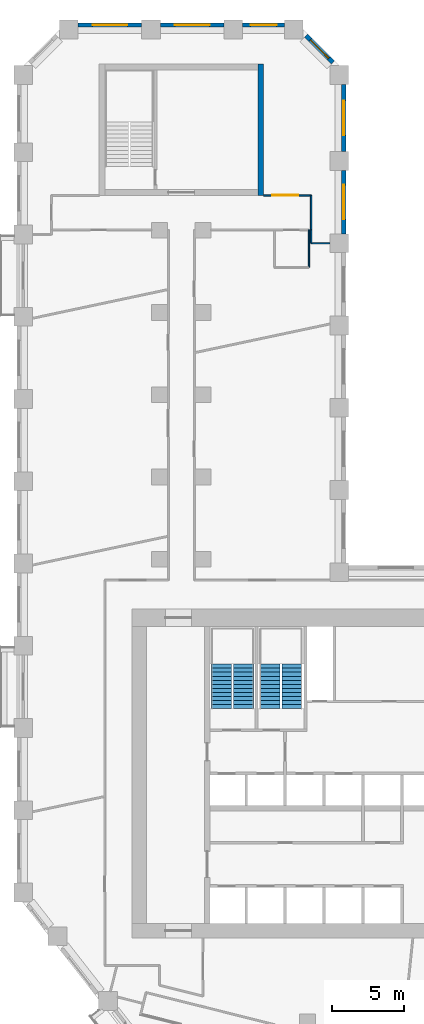
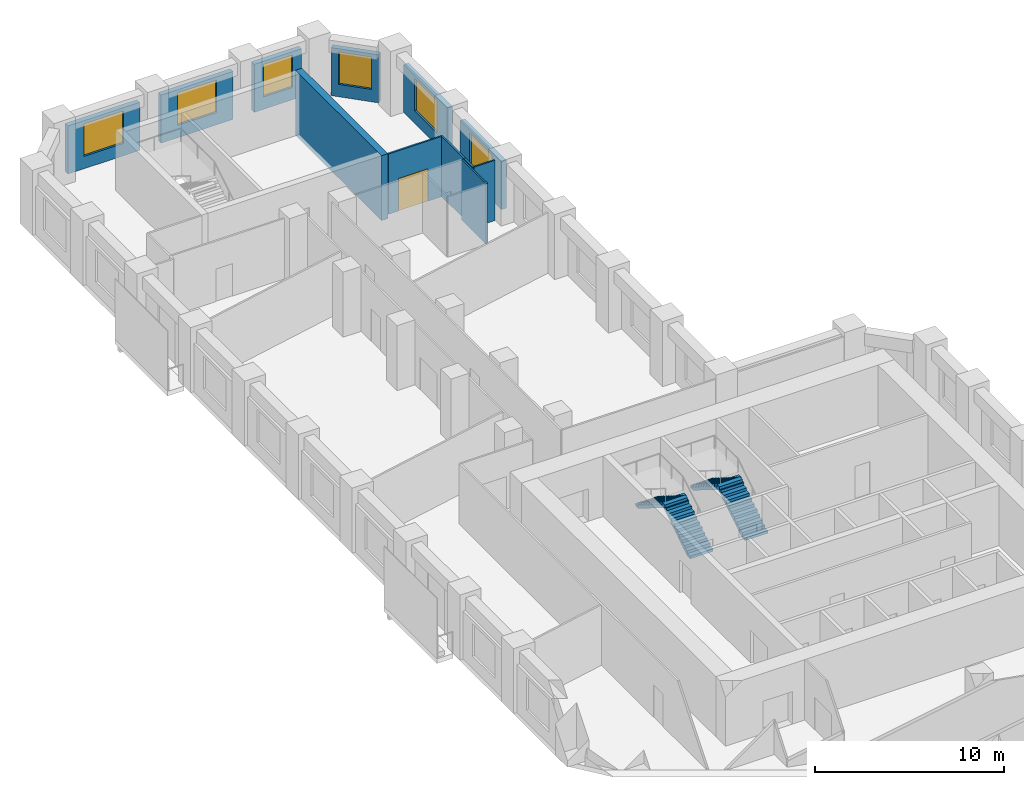
# One storey, part 9 of 11: 12 walls, 6 windows, 4 stair flights, 1 door, 7 openings, 2 elements without a shape of their own.
"""IFC4 building model written with IfcOpenShell, lengths in metres."""

from ifc_helpers import new_model, si_unit, direction, frame, frame_2d, origin, place, context, subcontext, project, spatial, polyline, rectangle, outline, extrude, material, layer, layer_set, type_object, element, fill, aggregate, save


model = new_model("IFC4")

# Units and contexts
model_context = context("Model", 3, precision=1e-05, world=origin(), true_north=direction((0.0, 1.0)))
body_context = subcontext(model_context, "Body", "Model", "MODEL_VIEW")
ifc_project = project(units=[si_unit("LENGTHUNIT", "METRE"), si_unit("AREAUNIT", "SQUARE_METRE"), si_unit("VOLUMEUNIT", "CUBIC_METRE"), si_unit("PLANEANGLEUNIT", "RADIAN"), si_unit("MASSUNIT", "GRAM", prefix="KILO")], contexts=[model_context])

# Site, building, storey
site_placement = place(None, origin())
site = spatial("IfcSite", under=ifc_project, at=site_placement, CompositionType="ELEMENT")
building_placement = place(site_placement, origin())
building = spatial("IfcBuilding", under=site, at=building_placement, Name="Meshkara Civic Tower", CompositionType="ELEMENT")
storey_placement = place(building_placement, frame((0.0, 0.0, 135.0)))
storey = spatial("IfcBuildingStorey", under=building, at=storey_placement, Name="L30", CompositionType="ELEMENT", Elevation=135.0)

# Wall
ifc_material_1 = material(Name="Corridor wall 100")
ifc_layer_1 = layer(ifc_material_1, 0.10009765625)
ifc_layer_set_1 = layer_set([ifc_layer_1], Name="Corridor wall 100")
wall_type_1 = type_object("IfcWallType", Name="Corridor wall 100", PredefinedType="PARTITIONING", material=ifc_layer_set_1)
wall_1_placement = place(storey_placement, frame((20.39990234375, 63.169921875, 0.0), z_axis=(0.0, 0.0, 1.0), x_axis=(0.0, 1.0, 0.0)))
element("IfcWall", 1, at=wall_1_placement, inside=storey, type_object=wall_type_1, Name="L30-W016", PredefinedType="PARTITIONING", context=body_context, shape_type="SweptSolid", body=[
    extrude(rectangle(XDim=2.400146484375, YDim=0.10009765625, at=frame_2d((1.2001953125, 0.0))), origin(), (0.0, 0.0, 1.0), 3.89990234375),
])

# Wall, opening, door
wall_2_placement = place(storey_placement, frame((20.39990234375, 65.570068359375, 0.0), z_axis=(0.0, 0.0, 1.0), x_axis=(-1.0, 0.0, 0.0)))
wall_2 = element("IfcWall", 2, at=wall_2_placement, inside=storey, type_object=wall_type_1, Name="L30-W017", PredefinedType="PARTITIONING", context=body_context, shape_type="SweptSolid", body=[
    extrude(rectangle(XDim=3.2998046875, YDim=0.10009765625, at=frame_2d((1.64990234375, 0.0))), origin(), (0.0, 0.0, 1.0), 3.89990234375),
])
opening_1_placement = place(wall_2_placement, frame((0.8798828125, 0.0, 0.0)))
opening_1 = element("IfcOpeningElement", 3, at=opening_1_placement, cuts=wall_2, Name="Opening L30-D024", PredefinedType="OPENING", context=body_context, shape_type="SweptSolid", body=[
    extrude(rectangle(XDim=1.800048828125, YDim=2.10009765625, at=frame_2d((0.89990234375, 1.050048828125))), frame((0.0, 0.06005859375, 0.0), z_axis=(0.0, -1.0, 0.0), x_axis=(1.0, 0.0, 0.0)), (0.0, 0.0, 1.0), 0.1201171875),
])
ifc_material_2 = material(Name="Door pair 1800 x 2100")
door_type = type_object("IfcDoorType", Name="Door pair 1800 x 2100", OperationType="SINGLE_SWING_LEFT", PredefinedType="DOOR", material=ifc_material_2)
door_placement = place(opening_1_placement, origin())
door = element("IfcDoor", 4, at=door_placement, inside=storey, type_object=door_type, Name="L30-D024", OperationType="DOUBLE_DOOR_SINGLE_SWING", OverallHeight=2.10009765625, OverallWidth=1.800048828125, PredefinedType="DOOR", context=body_context, shape_type="SweptSolid", body=[
    extrude(rectangle(XDim=1.800048828125, YDim=2.10009765625, at=frame_2d((0.89990234375, 1.050048828125))), frame((0.0, 0.02490234375, 0.0), z_axis=(0.0, -1.0, 0.0), x_axis=(1.0, 0.0, 0.0)), (0.0, 0.0, 1.0), 0.050048828125),
])
fill(opening_1, door)

# Wall, opening, window
ifc_material_3 = material(Name="Insulated infill panel with bronze anodised aluminium cladding", Category="aluminium")
ifc_layer_2 = layer(ifc_material_3, 0.300048828125)
ifc_layer_set_2 = layer_set([ifc_layer_2], Name="EXTERNAL INFILL WALL 300")
wall_type_2 = type_object("IfcWallType", Name="EXTERNAL INFILL WALL 300", PredefinedType="SOLIDWALL", material=ifc_layer_set_2)
wall_3_placement = place(storey_placement, frame((22.64990234375, 62.89990234375, 0.0), z_axis=(0.0, 0.0, 1.0), x_axis=(0.0, 1.0, 0.0)))
wall_3 = element("IfcWall", 5, at=wall_3_placement, inside=storey, type_object=wall_type_2, Name="External wall", PredefinedType="SOLIDWALL", context=body_context, shape_type="SweptSolid", body=[
    extrude(rectangle(XDim=4.400146484375, YDim=0.300048828125, at=frame_2d((2.2001953125, 0.0))), origin(), (0.0, 0.0, 1.0), 3.10009765625),
])
opening_2_placement = place(wall_3_placement, frame((1.0, 0.0, 0.800048828125)))
opening_2 = element("IfcOpeningElement", 6, at=opening_2_placement, cuts=wall_3, Name="Opening W7", PredefinedType="OPENING", context=body_context, shape_type="SweptSolid", body=[
    extrude(rectangle(XDim=2.39990234375, YDim=2.10009765625, at=frame_2d((1.199951171875, 1.050048828125))), frame((0.0, 0.159912109375, 0.0), z_axis=(0.0, -1.0, 0.0), x_axis=(1.0, 0.0, 0.0)), (0.0, 0.0, 1.0), 0.320068359375),
])
ifc_material_4 = material(Name="Tinted double glazing", Category="glass")
window_type_1 = type_object("IfcWindowType", Name="WINDOW 2400x2100", PartitioningType="DOUBLE_PANEL_VERTICAL", PredefinedType="WINDOW", material=ifc_material_4)
window_1_placement = place(opening_2_placement, origin())
window_1 = element("IfcWindow", 7, at=window_1_placement, inside=storey, type_object=window_type_1, Name="Window", OverallHeight=2.10009765625, OverallWidth=2.39990234375, PartitioningType="DOUBLE_PANEL_VERTICAL", PredefinedType="WINDOW", context=body_context, shape_type="SweptSolid", body=[
    extrude(rectangle(XDim=2.39990234375, YDim=2.10009765625, at=frame_2d((1.199951171875, 1.050048828125))), frame((0.0, 0.030029296875, 0.0), z_axis=(0.0, -1.0, 0.0), x_axis=(1.0, 0.0, 0.0)), (0.0, 0.0, 1.0), 0.06005859375),
])
fill(opening_2, window_1)

wall_4_placement = place(storey_placement, frame((22.64990234375, 68.60009765625, 0.0), z_axis=(0.0, 0.0, 1.0), x_axis=(0.0, 1.0, 0.0)))
wall_4 = element("IfcWall", 8, at=wall_4_placement, inside=storey, type_object=wall_type_2, Name="External wall", PredefinedType="SOLIDWALL", context=body_context, shape_type="SweptSolid", body=[
    extrude(rectangle(XDim=4.663818359375, YDim=0.300048828125, at=frame_2d((2.33203125, 0.0))), origin(), (0.0, 0.0, 1.0), 3.10009765625),
])
opening_3_placement = place(wall_4_placement, frame((1.132080078125, 0.0, 0.800048828125)))
opening_3 = element("IfcOpeningElement", 9, at=opening_3_placement, cuts=wall_4, Name="Opening W7", PredefinedType="OPENING", context=body_context, shape_type="SweptSolid", body=[
    extrude(rectangle(XDim=2.39990234375, YDim=2.10009765625, at=frame_2d((1.199951171875, 1.050048828125))), frame((0.0, 0.159912109375, 0.0), z_axis=(0.0, -1.0, 0.0), x_axis=(1.0, 0.0, 0.0)), (0.0, 0.0, 1.0), 0.320068359375),
])
window_2_placement = place(opening_3_placement, origin())
window_2 = element("IfcWindow", 10, at=window_2_placement, inside=storey, type_object=window_type_1, Name="Window", OverallHeight=2.10009765625, OverallWidth=2.39990234375, PartitioningType="DOUBLE_PANEL_VERTICAL", PredefinedType="WINDOW", context=body_context, shape_type="SweptSolid", body=[
    extrude(rectangle(XDim=2.39990234375, YDim=2.10009765625, at=frame_2d((1.199951171875, 1.050048828125))), frame((0.0, 0.030029296875, 0.0), z_axis=(0.0, -1.0, 0.0), x_axis=(1.0, 0.0, 0.0)), (0.0, 0.0, 1.0), 0.06005859375),
])
fill(opening_3, window_2)

wall_5_placement = place(storey_placement, frame((21.912109375, 74.77587890625, 0.0), z_axis=(0.0, 0.0, 1.0), x_axis=(-0.707106781187, 0.707106781187, 0.0)))
wall_5 = element("IfcWall", 11, at=wall_5_placement, inside=storey, type_object=wall_type_2, Name="External wall", PredefinedType="SOLIDWALL", context=body_context, shape_type="SweptSolid", body=[
    extrude(rectangle(XDim=2.625, YDim=0.300048828125, at=frame_2d((1.3125, 0.0))), origin(), (0.0, 0.0, 1.0), 3.10009765625),
])
opening_4_placement = place(wall_5_placement, frame((0.412109375, 0.0, 0.800048828125)))
opening_4 = element("IfcOpeningElement", 12, at=opening_4_placement, cuts=wall_5, Name="Opening W9", PredefinedType="OPENING", context=body_context, shape_type="SweptSolid", body=[
    extrude(rectangle(XDim=1.800048828125, YDim=2.10009765625, at=frame_2d((0.89990234375, 1.050048828125))), frame((0.0, 0.159912109375, 0.0), z_axis=(0.0, -1.0, 0.0), x_axis=(1.0, 0.0, 0.0)), (0.0, 0.0, 1.0), 0.320068359375),
])
ifc_material_5 = material(Name="Tinted double glazing", Category="glass")
window_type_2 = type_object("IfcWindowType", Name="WINDOW 1800x2100", PartitioningType="DOUBLE_PANEL_VERTICAL", PredefinedType="WINDOW", material=ifc_material_5)
window_3_placement = place(opening_4_placement, origin())
window_3 = element("IfcWindow", 13, at=window_3_placement, inside=storey, type_object=window_type_2, Name="Window", OverallHeight=2.10009765625, OverallWidth=1.800048828125, PartitioningType="DOUBLE_PANEL_VERTICAL", PredefinedType="WINDOW", context=body_context, shape_type="SweptSolid", body=[
    extrude(rectangle(XDim=1.800048828125, YDim=2.10009765625, at=frame_2d((0.89990234375, 1.050048828125))), frame((0.0, 0.030029296875, 0.0), z_axis=(0.0, -1.0, 0.0), x_axis=(1.0, 0.0, 0.0)), (0.0, 0.0, 1.0), 0.06005859375),
])
fill(opening_4, window_3)

wall_6_placement = place(storey_placement, frame((18.5439453125, 77.3701171875, 0.0), z_axis=(0.0, 0.0, 1.0), x_axis=(-1.0, 0.0, 0.0)))
wall_6 = element("IfcWall", 14, at=wall_6_placement, inside=storey, type_object=wall_type_2, Name="External wall", PredefinedType="SOLIDWALL", context=body_context, shape_type="SweptSolid", body=[
    extrude(rectangle(XDim=2.887939453125, YDim=0.300048828125, at=frame_2d((1.44384765625, 0.0))), origin(), (0.0, 0.0, 1.0), 3.10009765625),
])
opening_5_placement = place(wall_6_placement, frame((0.5439453125, 0.0, 0.800048828125)))
opening_5 = element("IfcOpeningElement", 15, at=opening_5_placement, cuts=wall_6, Name="Opening W9", PredefinedType="OPENING", context=body_context, shape_type="SweptSolid", body=[
    extrude(rectangle(XDim=1.800048828125, YDim=2.10009765625, at=frame_2d((0.89990234375, 1.050048828125))), frame((0.0, 0.159912109375, 0.0), z_axis=(0.0, -1.0, 0.0), x_axis=(1.0, 0.0, 0.0)), (0.0, 0.0, 1.0), 0.320068359375),
])
window_4_placement = place(opening_5_placement, origin())
window_4 = element("IfcWindow", 16, at=window_4_placement, inside=storey, type_object=window_type_2, Name="Window", OverallHeight=2.10009765625, OverallWidth=1.800048828125, PartitioningType="DOUBLE_PANEL_VERTICAL", PredefinedType="WINDOW", context=body_context, shape_type="SweptSolid", body=[
    extrude(rectangle(XDim=1.800048828125, YDim=2.10009765625, at=frame_2d((0.89990234375, 1.050048828125))), frame((0.0, 0.030029296875, 0.0), z_axis=(0.0, -1.0, 0.0), x_axis=(1.0, 0.0, 0.0)), (0.0, 0.0, 1.0), 0.06005859375),
])
fill(opening_5, window_4)

wall_7_placement = place(storey_placement, frame((14.35595703125, 77.3701171875, 0.0), z_axis=(0.0, 0.0, 1.0), x_axis=(-1.0, 0.0, 0.0)))
wall_7 = element("IfcWall", 17, at=wall_7_placement, inside=storey, type_object=wall_type_2, Name="External wall", PredefinedType="SOLIDWALL", context=body_context, shape_type="SweptSolid", body=[
    extrude(rectangle(XDim=4.39990234375, YDim=0.300048828125, at=frame_2d((2.199951171875, 0.0))), origin(), (0.0, 0.0, 1.0), 3.10009765625),
])
opening_6_placement = place(wall_7_placement, frame((1.0, 0.0, 0.800048828125)))
opening_6 = element("IfcOpeningElement", 18, at=opening_6_placement, cuts=wall_7, Name="Opening W7", PredefinedType="OPENING", context=body_context, shape_type="SweptSolid", body=[
    extrude(rectangle(XDim=2.39990234375, YDim=2.10009765625, at=frame_2d((1.199951171875, 1.050048828125))), frame((0.0, 0.159912109375, 0.0), z_axis=(0.0, -1.0, 0.0), x_axis=(1.0, 0.0, 0.0)), (0.0, 0.0, 1.0), 0.320068359375),
])
window_5_placement = place(opening_6_placement, origin())
window_5 = element("IfcWindow", 19, at=window_5_placement, inside=storey, type_object=window_type_1, Name="Window", OverallHeight=2.10009765625, OverallWidth=2.39990234375, PartitioningType="DOUBLE_PANEL_VERTICAL", PredefinedType="WINDOW", context=body_context, shape_type="SweptSolid", body=[
    extrude(rectangle(XDim=2.39990234375, YDim=2.10009765625, at=frame_2d((1.199951171875, 1.050048828125))), frame((0.0, 0.030029296875, 0.0), z_axis=(0.0, -1.0, 0.0), x_axis=(1.0, 0.0, 0.0)), (0.0, 0.0, 1.0), 0.06005859375),
])
fill(opening_6, window_5)

wall_8_placement = place(storey_placement, frame((8.656005859375, 77.3701171875, 0.0), z_axis=(0.0, 0.0, 1.0), x_axis=(-1.0, 0.0, 0.0)))
wall_8 = element("IfcWall", 20, at=wall_8_placement, inside=storey, type_object=wall_type_2, Name="External wall", PredefinedType="SOLIDWALL", context=body_context, shape_type="SweptSolid", body=[
    extrude(rectangle(XDim=4.39990234375, YDim=0.300048828125, at=frame_2d((2.199951171875, 0.0))), origin(), (0.0, 0.0, 1.0), 3.10009765625),
])
opening_7_placement = place(wall_8_placement, frame((1.0, 0.0, 0.800048828125)))
opening_7 = element("IfcOpeningElement", 21, at=opening_7_placement, cuts=wall_8, Name="Opening W7", PredefinedType="OPENING", context=body_context, shape_type="SweptSolid", body=[
    extrude(rectangle(XDim=2.39990234375, YDim=2.10009765625, at=frame_2d((1.199951171875, 1.050048828125))), frame((0.0, 0.159912109375, 0.0), z_axis=(0.0, -1.0, 0.0), x_axis=(1.0, 0.0, 0.0)), (0.0, 0.0, 1.0), 0.320068359375),
])
window_6_placement = place(opening_7_placement, origin())
window_6 = element("IfcWindow", 22, at=window_6_placement, inside=storey, type_object=window_type_1, Name="Window", OverallHeight=2.10009765625, OverallWidth=2.39990234375, PartitioningType="DOUBLE_PANEL_VERTICAL", PredefinedType="WINDOW", context=body_context, shape_type="SweptSolid", body=[
    extrude(rectangle(XDim=2.39990234375, YDim=2.10009765625, at=frame_2d((1.199951171875, 1.050048828125))), frame((0.0, 0.030029296875, 0.0), z_axis=(0.0, -1.0, 0.0), x_axis=(1.0, 0.0, 0.0)), (0.0, 0.0, 1.0), 0.06005859375),
])
fill(opening_7, window_6)

# Walls
ifc_material_6 = material(Name="Concrete C70", Category="concrete")
ifc_layer_3 = layer(ifc_material_6, 0.39990234375)
ifc_layer_set_3 = layer_set([ifc_layer_3], Name="End core ring wall 400 C70")
wall_type_3 = type_object("IfcWallType", Name="End core ring wall 400 C70", PredefinedType="SHEAR", material=ifc_layer_set_3)
wall_9_placement = place(storey_placement, frame((16.89990234375, 65.570068359375, -0.300048828125), z_axis=(0.0, 0.0, 1.0), x_axis=(0.0, 1.0, 0.0)))
element("IfcWall", 23, at=wall_9_placement, inside=storey, type_object=wall_type_3, Name="L30-C026", PredefinedType="SHEAR", context=body_context, shape_type="SweptSolid", body=[
    extrude(rectangle(XDim=9.099853515625, YDim=0.39990234375, at=frame_2d((4.5498046875, 0.0))), origin(), (0.0, 0.0, 1.0), 4.199951171875),
])
ifc_material_7 = material(Name="Partition 100")
ifc_layer_4 = layer(ifc_material_7, 0.10009765625)
ifc_layer_set_4 = layer_set([ifc_layer_4], Name="Partition 100")
wall_type_4 = type_object("IfcWallType", Name="Partition 100", PredefinedType="PARTITIONING", material=ifc_layer_set_4)
wall_10_placement = place(storey_placement, frame((20.25, 63.169921875, 0.0), z_axis=(0.0, 0.0, 1.0), x_axis=(0.0, -1.0, 0.0)))
element("IfcWall", 24, at=wall_10_placement, inside=storey, type_object=wall_type_4, Name="L30-W040", PredefinedType="PARTITIONING", context=body_context, shape_type="SweptSolid", body=[
    extrude(rectangle(XDim=2.599853515625, YDim=0.10009765625, at=frame_2d((1.2998046875, 0.0))), origin(), (0.0, 0.0, 1.0), 3.89990234375),
])
wall_11_placement = place(storey_placement, frame((20.39990234375, 62.25, 0.0), z_axis=(0.0, 0.0, 1.0), x_axis=(0.0, 1.0, 0.0)))
element("IfcWall", 25, at=wall_11_placement, inside=storey, type_object=wall_type_4, Name="L30-W041", PredefinedType="PARTITIONING", context=body_context, shape_type="SweptSolid", body=[
    extrude(rectangle(XDim=0.924072265625, YDim=0.10009765625, at=frame_2d((0.4619140625, 0.0))), origin(), (0.0, 0.0, 1.0), 3.89990234375),
])
wall_12_placement = place(storey_placement, frame((21.699951171875, 62.25, 0.0), z_axis=(0.0, 0.0, 1.0), x_axis=(-1.0, 0.0, 0.0)))
element("IfcWall", 26, at=wall_12_placement, inside=storey, type_object=wall_type_4, Name="L30-W043", PredefinedType="PARTITIONING", context=body_context, shape_type="SweptSolid", body=[
    extrude(rectangle(XDim=1.300048828125, YDim=0.10009765625, at=frame_2d((0.64990234375, 0.0))), origin(), (0.0, 0.0, 1.0), 3.89990234375),
])

# Stair, stair flights
ifc_material_8 = material(Name="Precast concrete C40/50", Category="concrete")
stair_type = type_object("IfcStairType", Name="Exit stair half-turn 24 risers precast", PredefinedType="HALF_TURN_STAIR", material=ifc_material_8)
stair_1_placement = place(storey_placement, origin())
stair_1 = element("IfcStair", 27, at=stair_1_placement, inside=storey, type_object=stair_type, Name="L30 exit stair 1", PredefinedType="HALF_TURN_STAIR")
ifc_material_9 = material(Name="Precast concrete C40/50", Category="concrete")
stair_flight_type = type_object("IfcStairFlightType", Name="Exit stair flight 12 risers precast", PredefinedType="STRAIGHT", material=ifc_material_9)
stair_flight_1_placement = place(storey_placement, frame((15.72509765625, 30.0, 0.0), z_axis=(0.0, 0.0, 1.0), x_axis=(0.0, 1.0, 0.0)))
stair_flight_1 = element("IfcStairFlight", 28, at=stair_flight_1_placement, type_object=stair_flight_type, Name="ST1 flight 1", NumberOfRisers=12, NumberOfTreads=11, PredefinedType="STRAIGHT", RiserHeight=0.175, TreadLength=0.28, context=body_context, shape_type="SweptSolid", body=[
    extrude(outline(polyline([(0.0, 0.0), (0.0, 0.175048828125), (0.280029296875, 0.175048828125), (0.280029296875, 0.35009765625), (0.56005859375, 0.35009765625), (0.56005859375, 0.52490234375), (0.840087890625, 0.52490234375), (0.840087890625, 0.699951171875), (1.1201171875, 0.699951171875), (1.1201171875, 0.875), (1.39990234375, 0.875), (1.39990234375, 1.050048828125), (1.679931640625, 1.050048828125), (1.679931640625, 1.22509765625), (1.9599609375, 1.22509765625), (1.9599609375, 1.39990234375), (2.239990234375, 1.39990234375), (2.239990234375, 1.574951171875), (2.52001953125, 1.574951171875), (2.52001953125, 1.75), (2.800048828125, 1.75), (2.800048828125, 1.925048828125), (3.080078125, 1.925048828125), (3.080078125, 2.10009765625), (3.080078125, 1.748291015625), (0.28271484375, 0.0), (0.0, 0.0)])), frame((0.0, 0.699951171875, 0.0), z_axis=(0.0, -1.0, 0.0), x_axis=(1.0, 0.0, 0.0)), (0.0, 0.0, 1.0), 1.39990234375),
])
stair_flight_2_placement = place(storey_placement, frame((14.175048828125, 33.080078125, 2.10009765625), z_axis=(0.0, 0.0, 1.0), x_axis=(0.0, -1.0, 0.0)))
stair_flight_2 = element("IfcStairFlight", 29, at=stair_flight_2_placement, type_object=stair_flight_type, Name="ST1 flight 2", NumberOfRisers=12, NumberOfTreads=11, PredefinedType="STRAIGHT", RiserHeight=0.175, TreadLength=0.28, context=body_context, shape_type="SweptSolid", body=[
    extrude(outline(polyline([(0.0, 0.0), (0.0, 0.175048828125), (0.280029296875, 0.175048828125), (0.280029296875, 0.35009765625), (0.56005859375, 0.35009765625), (0.56005859375, 0.52490234375), (0.840087890625, 0.52490234375), (0.840087890625, 0.699951171875), (1.1201171875, 0.699951171875), (1.1201171875, 0.875), (1.39990234375, 0.875), (1.39990234375, 1.050048828125), (1.679931640625, 1.050048828125), (1.679931640625, 1.22509765625), (1.9599609375, 1.22509765625), (1.9599609375, 1.39990234375), (2.239990234375, 1.39990234375), (2.239990234375, 1.574951171875), (2.52001953125, 1.574951171875), (2.52001953125, 1.75), (2.800048828125, 1.75), (2.800048828125, 1.925048828125), (3.080078125, 1.925048828125), (3.080078125, 2.10009765625), (3.080078125, 1.748291015625), (0.28271484375, 0.0), (0.0, 0.0)])), frame((0.0, 0.699951171875, 0.0), z_axis=(0.0, -1.0, 0.0), x_axis=(1.0, 0.0, 0.0)), (0.0, 0.0, 1.0), 1.39990234375),
])
aggregate(stair_1, [stair_flight_1, stair_flight_2])

stair_2_placement = place(storey_placement, origin())
stair_2 = element("IfcStair", 30, at=stair_2_placement, inside=storey, type_object=stair_type, Name="L30 exit stair 2", PredefinedType="HALF_TURN_STAIR")
stair_flight_3_placement = place(storey_placement, frame((19.074951171875, 30.0, 0.0), z_axis=(0.0, 0.0, 1.0), x_axis=(0.0, 1.0, 0.0)))
stair_flight_3 = element("IfcStairFlight", 31, at=stair_flight_3_placement, type_object=stair_flight_type, Name="ST2 flight 1", NumberOfRisers=12, NumberOfTreads=11, PredefinedType="STRAIGHT", RiserHeight=0.175, TreadLength=0.28, context=body_context, shape_type="SweptSolid", body=[
    extrude(outline(polyline([(0.0, 0.0), (0.0, 0.175048828125), (0.280029296875, 0.175048828125), (0.280029296875, 0.35009765625), (0.56005859375, 0.35009765625), (0.56005859375, 0.52490234375), (0.840087890625, 0.52490234375), (0.840087890625, 0.699951171875), (1.1201171875, 0.699951171875), (1.1201171875, 0.875), (1.39990234375, 0.875), (1.39990234375, 1.050048828125), (1.679931640625, 1.050048828125), (1.679931640625, 1.22509765625), (1.9599609375, 1.22509765625), (1.9599609375, 1.39990234375), (2.239990234375, 1.39990234375), (2.239990234375, 1.574951171875), (2.52001953125, 1.574951171875), (2.52001953125, 1.75), (2.800048828125, 1.75), (2.800048828125, 1.925048828125), (3.080078125, 1.925048828125), (3.080078125, 2.10009765625), (3.080078125, 1.748291015625), (0.28271484375, 0.0), (0.0, 0.0)])), frame((0.0, 0.699951171875, 0.0), z_axis=(0.0, -1.0, 0.0), x_axis=(1.0, 0.0, 0.0)), (0.0, 0.0, 1.0), 1.39990234375),
])
stair_flight_4_placement = place(storey_placement, frame((17.52490234375, 33.080078125, 2.10009765625), z_axis=(0.0, 0.0, 1.0), x_axis=(0.0, -1.0, 0.0)))
stair_flight_4 = element("IfcStairFlight", 32, at=stair_flight_4_placement, type_object=stair_flight_type, Name="ST2 flight 2", NumberOfRisers=12, NumberOfTreads=11, PredefinedType="STRAIGHT", RiserHeight=0.175, TreadLength=0.28, context=body_context, shape_type="SweptSolid", body=[
    extrude(outline(polyline([(0.0, 0.0), (0.0, 0.175048828125), (0.280029296875, 0.175048828125), (0.280029296875, 0.35009765625), (0.56005859375, 0.35009765625), (0.56005859375, 0.52490234375), (0.840087890625, 0.52490234375), (0.840087890625, 0.699951171875), (1.1201171875, 0.699951171875), (1.1201171875, 0.875), (1.39990234375, 0.875), (1.39990234375, 1.050048828125), (1.679931640625, 1.050048828125), (1.679931640625, 1.22509765625), (1.9599609375, 1.22509765625), (1.9599609375, 1.39990234375), (2.239990234375, 1.39990234375), (2.239990234375, 1.574951171875), (2.52001953125, 1.574951171875), (2.52001953125, 1.75), (2.800048828125, 1.75), (2.800048828125, 1.925048828125), (3.080078125, 1.925048828125), (3.080078125, 2.10009765625), (3.080078125, 1.748291015625), (0.28271484375, 0.0), (0.0, 0.0)])), frame((0.0, 0.699951171875, 0.0), z_axis=(0.0, -1.0, 0.0), x_axis=(1.0, 0.0, 0.0)), (0.0, 0.0, 1.0), 1.39990234375),
])
aggregate(stair_2, [stair_flight_3, stair_flight_4])

save(model, "model.ifc")
